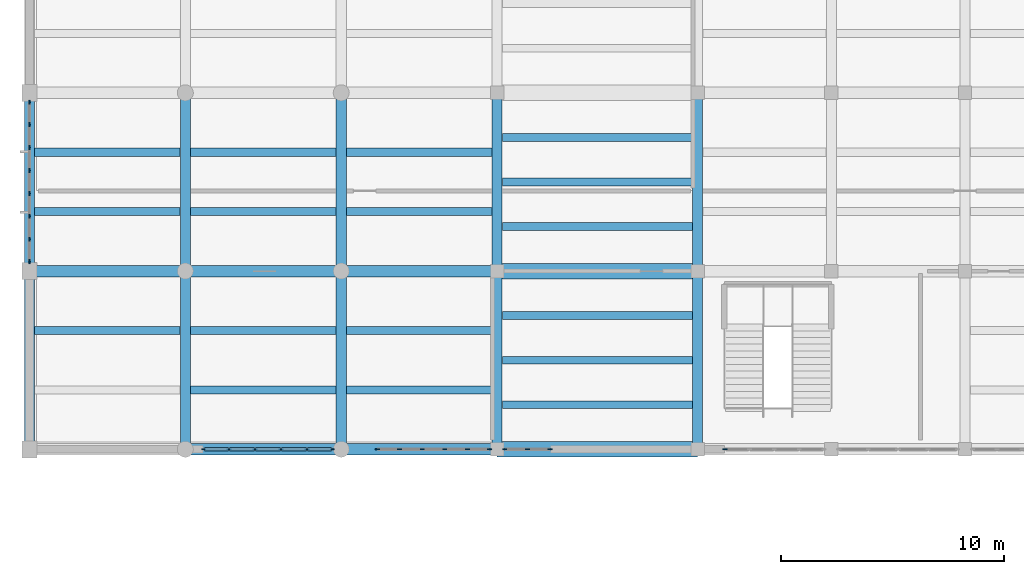
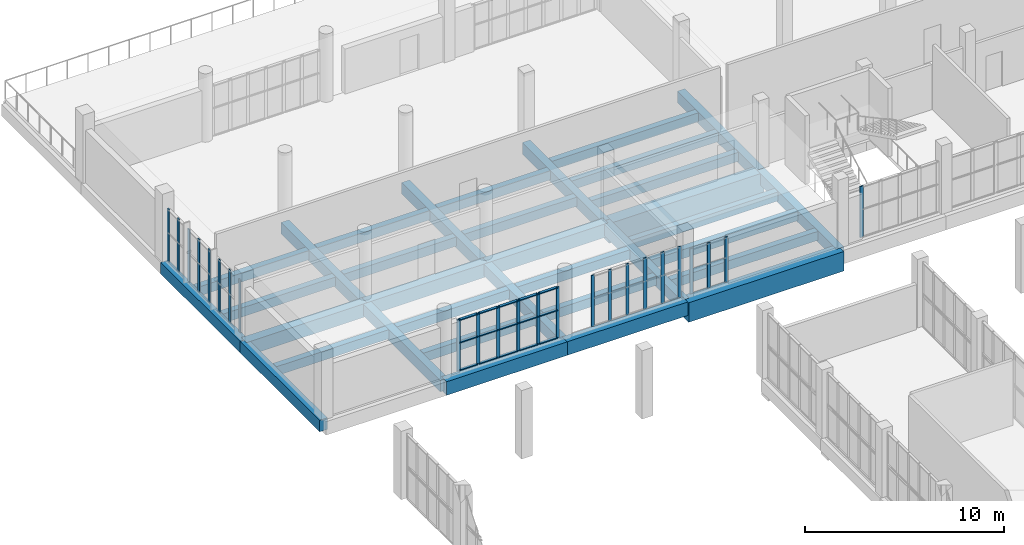
# One storey, part 20 of 85: 39 members, 34 beams, 5 elements without a shape of their own.
"""IFC4 building model written with IfcOpenShell, lengths in metres."""

import ifcopenshell
import ifcopenshell.guid

model = None  # the IFC model being written
_history = None  # IfcOwnerHistory: only IFC2X3 demands one
_inside = {}  # id of a spatial element -> (the spatial element, [elements in it])
_under = {}  # id of a project, library or spatial element -> (it, [spatial elements below it])
_declared = {}  # id of a project -> (the project, [libraries it declares])
_typed = {}  # id of a type object -> (the type object, [elements of that type])
_made_of = {}  # id of a material, layer set ... -> (it, [elements and type objects made of it])


def new_model(schema):
    """Start an empty IFC model of exactly this schema.

    Asked for "IFC4X3", IfcOpenShell would pick the latest addendum, in which some entities
    have other attributes; the version numbers below select the first issue.
    IFC2X3 requires an IfcOwnerHistory on every rooted entity: one is made here for all.
    """
    global model, _history
    if schema == "IFC4X3":
        model = ifcopenshell.file(schema_version=(4, 3, 0, 0))
    else:
        model = ifcopenshell.file(schema=schema)
    _inside.clear()
    _under.clear()
    _declared.clear()
    _typed.clear()
    _made_of.clear()
    _history = None
    if model.schema == "IFC2X3":
        org = make("IfcOrganization", Name="unknown")
        user = make(
            "IfcPersonAndOrganization",
            ThePerson=make("IfcPerson", FamilyName="unknown"),
            TheOrganization=org,
        )
        app = make(
            "IfcApplication",
            ApplicationDeveloper=org,
            Version="unknown",
            ApplicationFullName="unknown",
            ApplicationIdentifier="unknown",
        )
        _history = make(
            "IfcOwnerHistory",
            OwningUser=user,
            OwningApplication=app,
            ChangeAction="ADDED",
            CreationDate=0,
        )
    return model


def make(cls, **values):
    """One entity of the class cls with the attributes given. An attribute that is None is left unset."""
    return model.create_entity(
        cls, **{name: value for name, value in values.items() if value is not None}
    )


def rooted(cls, **values):
    """An entity with a GlobalId (a new one), such as an element, a storey or a relation."""
    return make(cls, GlobalId=ifcopenshell.guid.new(), OwnerHistory=_history, **values)


def si_unit(unit_type, name, prefix=None):
    """IfcSIUnit, for example si_unit("LENGTHUNIT", "METRE", prefix="MILLI")."""
    return make("IfcSIUnit", UnitType=unit_type, Prefix=prefix, Name=name)


def assignment(units):
    """IfcUnitAssignment: the units of a project."""
    return None if units is None else make("IfcUnitAssignment", Units=units)


def point(xyz):
    """IfcCartesianPoint."""
    return None if xyz is None else make("IfcCartesianPoint", Coordinates=xyz)


def direction(xyz):
    """IfcDirection."""
    return None if xyz is None else make("IfcDirection", DirectionRatios=xyz)


def frame(location, z_axis=None, x_axis=None):
    """IfcAxis2Placement3D, a coordinate frame: its origin and axes. An axis left out is left unset."""
    return make(
        "IfcAxis2Placement3D",
        Location=point(location),
        Axis=direction(z_axis),
        RefDirection=direction(x_axis),
    )


def frame_2d(location, x_axis=None):
    """IfcAxis2Placement2D, a coordinate frame in the plane: its origin and x axis."""
    return make(
        "IfcAxis2Placement2D", Location=point(location), RefDirection=direction(x_axis)
    )


def origin():
    """The frame at (0, 0, 0) with its axes left unset."""
    return frame((0.0, 0.0, 0.0))


def origin_2d():
    """The frame at (0, 0) in the plane with its x axis left unset."""
    return frame_2d((0.0, 0.0))


def place(relative_to, where):
    """IfcLocalPlacement: puts the frame where relative to a parent placement (None: the world)."""
    return make(
        "IfcLocalPlacement", PlacementRelTo=relative_to, RelativePlacement=where
    )


def context(
    kind, dimensions, precision=None, world=None, true_north=None, identifier=None
):
    """IfcGeometricRepresentationContext, for example the 3D "Model" context."""
    return make(
        "IfcGeometricRepresentationContext",
        ContextIdentifier=identifier,
        ContextType=kind,
        CoordinateSpaceDimension=dimensions,
        Precision=precision,
        WorldCoordinateSystem=world,
        TrueNorth=true_north,
    )


def subcontext(parent, identifier, kind, view, scale=None):
    """IfcGeometricRepresentationSubContext, for example "Body" below "Model"."""
    return make(
        "IfcGeometricRepresentationSubContext",
        ContextIdentifier=identifier,
        ContextType=kind,
        ParentContext=parent,
        TargetScale=scale,
        TargetView=view,
    )


def project(units=None, contexts=None):
    """IfcProject with its units and contexts."""
    return rooted(
        "IfcProject",
        Name="project",
        RepresentationContexts=contexts,
        UnitsInContext=assignment(units),
    )


def spatial(cls, under=None, at=None, **own):
    """A site, building, storey or space (cls), placed at a placement, below another one or the project."""
    s = rooted(cls, ObjectPlacement=at, **own)
    if under is not None:
        _under.setdefault(under.id(), (under, []))[1].append(s)
    return s


def profile(cls, at=None, kind="AREA", **sizes):
    """A parametric profile (cls). Its sizes go by their IFC names, for example OverallWidth=200.0."""
    return make(cls, ProfileType=kind, Position=at, **sizes)


def rectangle(**sizes):
    """IfcRectangleProfileDef."""
    return profile("IfcRectangleProfileDef", **sizes)


def extrude(swept, where, along, depth):
    """IfcExtrudedAreaSolid: the profile swept, set in the frame where, extruded along a direction by depth."""
    return make(
        "IfcExtrudedAreaSolid",
        SweptArea=swept,
        Position=where,
        ExtrudedDirection=direction(along),
        Depth=depth,
    )


def shape(context_of_items, identifier, shape_type, items):
    """IfcShapeRepresentation: the items that make up one representation, for example the "Body"."""
    return make(
        "IfcShapeRepresentation",
        ContextOfItems=context_of_items,
        RepresentationIdentifier=identifier,
        RepresentationType=shape_type,
        Items=items,
    )


def material(Name=None, Category=None):
    """IfcMaterial."""
    return make("IfcMaterial", Name=Name, Category=Category)


def layer(
    of_material, thickness, ventilated=None, Name=None, Category=None, Priority=None
):
    """IfcMaterialLayer: one layer of a wall or slab, of a material (None: an air gap)."""
    return make(
        "IfcMaterialLayer",
        Material=of_material,
        LayerThickness=thickness,
        IsVentilated=ventilated,
        Name=Name,
        Category=Category,
        Priority=Priority,
    )


def layer_set(layers, Name=None):
    """IfcMaterialLayerSet."""
    return make("IfcMaterialLayerSet", MaterialLayers=layers, LayerSetName=Name)


def material_profile(
    of_material, cross_section, Name=None, Category=None, Priority=None
):
    """IfcMaterialProfile: a cross section and its material."""
    return make(
        "IfcMaterialProfile",
        Name=Name,
        Material=of_material,
        Profile=cross_section,
        Priority=Priority,
        Category=Category,
    )


def profile_set(profiles, Name=None, composite=None):
    """IfcMaterialProfileSet."""
    return make(
        "IfcMaterialProfileSet",
        Name=Name,
        MaterialProfiles=profiles,
        CompositeProfile=composite,
    )


def made_of(thing, what):
    """Note that an element or type object is made of a material, layer set ...; save() writes the relation."""
    if what is not None:
        _made_of.setdefault(what.id(), (what, []))[1].append(thing)
    return thing


def type_object(cls, material=None, **own):
    """A type object (cls), such as IfcWallType, which elements share."""
    return made_of(rooted(cls, **own), material)


def element(
    cls,
    number,
    at=None,
    inside=None,
    cuts=None,
    type_object=None,
    material=None,
    context=None,
    identifier="Body",
    shape_type=None,
    held_by="IfcProductDefinitionShape",
    body=None,
    shapes=None,
    **own,
):
    """One element of the class cls, such as IfcWall. Its Tag is "e" and its number.

    at: its placement. inside: the storey or other place that contains it. cuts: it is an
    opening in that element (IfcRelVoidsElement). A single representation is given by context,
    identifier, shape_type and body (its items); several are given by shapes. held_by: the class
    of the entity that holds the representations. save() writes the other relations.
    """
    e = rooted(cls, Tag="e%d" % number, ObjectPlacement=at, **own)
    if body is not None:
        shapes = [shape(context, identifier, shape_type, body)]
    if shapes is not None:
        e.Representation = make(held_by, Representations=shapes)
    if inside is not None:
        _inside.setdefault(inside.id(), (inside, []))[1].append(e)
    if cuts is not None:
        rooted(
            "IfcRelVoidsElement", RelatingBuildingElement=cuts, RelatedOpeningElement=e
        )
    if type_object is not None:
        _typed.setdefault(type_object.id(), (type_object, []))[1].append(e)
    return made_of(e, material)


def aggregate(whole, parts):
    """IfcRelAggregates: a whole, such as a stair, and the parts it consists of."""
    return rooted("IfcRelAggregates", RelatingObject=whole, RelatedObjects=parts)


def save(model, path):
    """Write the relations noted so far, then the file.

    IfcRelAggregates (storeys below a building ...), IfcRelContainedInSpatialStructure (elements
    in a storey), IfcRelDefinesByType, IfcRelAssociatesMaterial and IfcRelDeclares: one each for
    every whole, place, type object, material and project.
    """
    for whole, parts in _under.values():
        aggregate(whole, parts)
    for where, things in _inside.values():
        rooted(
            "IfcRelContainedInSpatialStructure",
            RelatedElements=things,
            RelatingStructure=where,
        )
    for kind, things in _typed.values():
        rooted("IfcRelDefinesByType", RelatedObjects=things, RelatingType=kind)
    for what, things in _made_of.values():
        rooted("IfcRelAssociatesMaterial", RelatedObjects=things, RelatingMaterial=what)
    for by, libraries in _declared.values():
        rooted("IfcRelDeclares", RelatingContext=by, RelatedDefinitions=libraries)
    model.write(path)


model = new_model("IFC4")

# Units and contexts
model_context = context("Model", 3, precision=1e-05, world=origin(), true_north=direction((0.0, 1.0)))
body_context = subcontext(model_context, "Body", "Model", "MODEL_VIEW")
ifc_project = project(units=[si_unit("LENGTHUNIT", "METRE"), si_unit("AREAUNIT", "SQUARE_METRE"), si_unit("VOLUMEUNIT", "CUBIC_METRE"), si_unit("PLANEANGLEUNIT", "RADIAN"), si_unit("MASSUNIT", "GRAM", prefix="KILO")], contexts=[model_context])

# Site, building, storey
site_placement = place(None, origin())
site = spatial("IfcSite", under=ifc_project, at=site_placement, CompositionType="ELEMENT")
building_placement = place(site_placement, origin())
building = spatial("IfcBuilding", under=site, at=building_placement, Name="Solvane Community Centre", CompositionType="ELEMENT")
storey_placement = place(building_placement, frame((0.0, 0.0, 5.39990234375)))
storey = spatial("IfcBuildingStorey", under=building, at=storey_placement, Name="L01", CompositionType="ELEMENT", Elevation=5.39990234375)

# Curtain wall, members
ifc_material_1 = material(Name="Anodised bronze aluminium AW-6063 T6", Category="aluminium")
ifc_layer_1 = layer(ifc_material_1, 0.18994140625)
ifc_layer_set_1 = layer_set([ifc_layer_1], Name="Anodised bronze aluminium AW-6063 T6")
curtain_wall_type_1 = type_object("IfcCurtainWallType", Name="Boulevard Bronze Vision Curtain Wall [72x32dm]", PredefinedType="NOTDEFINED", material=ifc_layer_set_1)
curtain_wall_1_placement = place(storey_placement, origin())
curtain_wall_1 = element("IfcCurtainWall", 1, at=curtain_wall_1_placement, inside=storey, type_object=curtain_wall_type_1, Name="Curtain Wall CW-L01-60_944-085", PredefinedType="NOTDEFINED")
ifc_material_profile_1 = material_profile(ifc_material_1, rectangle(XDim=0.06005859375, YDim=0.18994140625, at=origin_2d()), Name="CW-M 60x190")
ifc_profile_set_1 = profile_set([ifc_material_profile_1], Name="Anodised bronze aluminium AW-6063 T6")
member_type_1 = type_object("IfcMemberType", Name="Boulevard Mullion 60x190", PredefinedType="MULLION", material=ifc_profile_set_1)
member_1_placement = place(storey_placement, frame((6.0, 94.425048828125, 0.0), z_axis=(0.0, 0.0, 1.0), x_axis=(-1.0, 0.0, 0.0)))
member_1 = element("IfcMember", 2, at=member_1_placement, type_object=member_type_1, Name="CW02-72x32 mullion 1", PredefinedType="MULLION", context=body_context, shape_type="SweptSolid", body=[
    extrude(rectangle(XDim=0.06005859375, YDim=0.18994140625, at=origin_2d()), origin(), (0.0, 0.0, 1.0), 3.22509765625),
])
member_2_placement = place(storey_placement, frame((6.0, 95.425048828125, 0.0), z_axis=(0.0, 0.0, 1.0), x_axis=(-1.0, 0.0, 0.0)))
member_2 = element("IfcMember", 3, at=member_2_placement, type_object=member_type_1, Name="CW02-72x32 mullion 2", PredefinedType="MULLION", context=body_context, shape_type="SweptSolid", body=[
    extrude(rectangle(XDim=0.06005859375, YDim=0.18994140625, at=origin_2d()), origin(), (0.0, 0.0, 1.0), 3.22509765625),
])
member_3_placement = place(storey_placement, frame((6.0, 96.455078125, 0.0), z_axis=(0.0, 0.0, 1.0), x_axis=(-1.0, 0.0, 0.0)))
member_3 = element("IfcMember", 4, at=member_3_placement, type_object=member_type_1, Name="CW02-72x32 mullion 3", PredefinedType="MULLION", context=body_context, shape_type="SweptSolid", body=[
    extrude(rectangle(XDim=0.06005859375, YDim=0.18994140625, at=origin_2d()), origin(), (0.0, 0.0, 1.0), 3.22509765625),
])
member_4_placement = place(storey_placement, frame((6.0, 97.485107421875, 0.0), z_axis=(0.0, 0.0, 1.0), x_axis=(-1.0, 0.0, 0.0)))
member_4 = element("IfcMember", 5, at=member_4_placement, type_object=member_type_1, Name="CW02-72x32 mullion 4", PredefinedType="MULLION", context=body_context, shape_type="SweptSolid", body=[
    extrude(rectangle(XDim=0.06005859375, YDim=0.18994140625, at=origin_2d()), origin(), (0.0, 0.0, 1.0), 3.22509765625),
])
member_5_placement = place(storey_placement, frame((6.0, 98.514892578125, 0.0), z_axis=(0.0, 0.0, 1.0), x_axis=(-1.0, 0.0, 0.0)))
member_5 = element("IfcMember", 6, at=member_5_placement, type_object=member_type_1, Name="CW02-72x32 mullion 5", PredefinedType="MULLION", context=body_context, shape_type="SweptSolid", body=[
    extrude(rectangle(XDim=0.06005859375, YDim=0.18994140625, at=origin_2d()), origin(), (0.0, 0.0, 1.0), 3.22509765625),
])
member_6_placement = place(storey_placement, frame((6.0, 99.544921875, 0.0), z_axis=(0.0, 0.0, 1.0), x_axis=(-1.0, 0.0, 0.0)))
member_6 = element("IfcMember", 7, at=member_6_placement, type_object=member_type_1, Name="CW02-72x32 mullion 6", PredefinedType="MULLION", context=body_context, shape_type="SweptSolid", body=[
    extrude(rectangle(XDim=0.06005859375, YDim=0.18994140625, at=origin_2d()), origin(), (0.0, 0.0, 1.0), 3.22509765625),
])
member_7_placement = place(storey_placement, frame((6.0, 100.574951171875, 0.0), z_axis=(0.0, 0.0, 1.0), x_axis=(-1.0, 0.0, 0.0)))
member_7 = element("IfcMember", 8, at=member_7_placement, type_object=member_type_1, Name="CW02-72x32 mullion 7", PredefinedType="MULLION", context=body_context, shape_type="SweptSolid", body=[
    extrude(rectangle(XDim=0.06005859375, YDim=0.18994140625, at=origin_2d()), origin(), (0.0, 0.0, 1.0), 3.22509765625),
])
member_8_placement = place(storey_placement, frame((6.0, 101.574951171875, 0.0), z_axis=(0.0, 0.0, 1.0), x_axis=(-1.0, 0.0, 0.0)))
member_8 = element("IfcMember", 9, at=member_8_placement, type_object=member_type_1, Name="CW02-72x32 mullion 8", PredefinedType="MULLION", context=body_context, shape_type="SweptSolid", body=[
    extrude(rectangle(XDim=0.06005859375, YDim=0.18994140625, at=origin_2d()), origin(), (0.0, 0.0, 1.0), 3.22509765625),
])
aggregate(curtain_wall_1, [member_1, member_2, member_3, member_4, member_5, member_6, member_7, member_8])

# Curtain wall, member
ifc_layer_2 = layer(ifc_material_1, 0.18994140625)
ifc_layer_set_2 = layer_set([ifc_layer_2], Name="Anodised bronze aluminium AW-6063 T6")
curtain_wall_type_2 = type_object("IfcCurtainWallType", Name="Boulevard Bronze Vision Curtain Wall [45x31dm]", PredefinedType="NOTDEFINED", material=ifc_layer_set_2)
curtain_wall_2_placement = place(storey_placement, origin())
curtain_wall_2 = element("IfcCurtainWall", 10, at=curtain_wall_2_placement, inside=storey, type_object=curtain_wall_type_2, Name="Curtain Wall CW-L01-417_860-099", PredefinedType="NOTDEFINED")
member_9_placement = place(storey_placement, frame((37.22998046875, 86.0, 0.0), z_axis=(0.0, 0.0, 1.0), x_axis=(0.0, -1.0, 0.0)))
member_9 = element("IfcMember", 11, at=member_9_placement, type_object=member_type_1, Name="CW02-45x31 mullion 5", PredefinedType="MULLION", context=body_context, shape_type="SweptSolid", body=[
    extrude(rectangle(XDim=0.06005859375, YDim=0.18994140625, at=origin_2d()), origin(), (0.0, 0.0, 1.0), 3.135009765625),
])
aggregate(curtain_wall_2, [member_9])

# Curtain wall, members
ifc_layer_3 = layer(ifc_material_1, 0.18994140625)
ifc_layer_set_3 = layer_set([ifc_layer_3], Name="Anodised bronze aluminium AW-6063 T6")
curtain_wall_type_3 = type_object("IfcCurtainWallType", Name="Boulevard Bronze Vision Curtain Wall [21x28dm]", PredefinedType="NOTDEFINED", material=ifc_layer_set_3)
curtain_wall_3_placement = place(storey_placement, origin())
curtain_wall_3 = element("IfcCurtainWall", 12, at=curtain_wall_3_placement, inside=storey, type_object=curtain_wall_type_3, Name="Curtain Wall CW-L01-294_860-100", PredefinedType="NOTDEFINED")
member_10_placement = place(storey_placement, frame((29.3701171875, 86.0, 0.0), z_axis=(0.0, 0.0, 1.0), x_axis=(0.0, -1.0, 0.0)))
member_10 = element("IfcMember", 13, at=member_10_placement, type_object=member_type_1, Name="CW02-21x28 mullion 1", PredefinedType="MULLION", context=body_context, shape_type="SweptSolid", body=[
    extrude(rectangle(XDim=0.06005859375, YDim=0.18994140625, at=origin_2d()), origin(), (0.0, 0.0, 1.0), 2.76513671875),
])
member_11_placement = place(storey_placement, frame((28.357421875, 86.0, 0.0), z_axis=(0.0, 0.0, 1.0), x_axis=(0.0, -1.0, 0.0)))
member_11 = element("IfcMember", 14, at=member_11_placement, type_object=member_type_1, Name="CW02-21x28 mullion 2", PredefinedType="MULLION", context=body_context, shape_type="SweptSolid", body=[
    extrude(rectangle(XDim=0.06005859375, YDim=0.18994140625, at=origin_2d()), origin(), (0.0, 0.0, 1.0), 2.76513671875),
])
member_12_placement = place(storey_placement, frame((27.344970703125, 86.0, 0.0), z_axis=(0.0, 0.0, 1.0), x_axis=(0.0, -1.0, 0.0)))
member_12 = element("IfcMember", 15, at=member_12_placement, type_object=member_type_1, Name="CW02-21x28 mullion 3", PredefinedType="MULLION", context=body_context, shape_type="SweptSolid", body=[
    extrude(rectangle(XDim=0.06005859375, YDim=0.18994140625, at=origin_2d()), origin(), (0.0, 0.0, 1.0), 2.76513671875),
])
aggregate(curtain_wall_3, [member_10, member_11, member_12])

ifc_layer_4 = layer(ifc_material_1, 0.18994140625)
ifc_layer_set_4 = layer_set([ifc_layer_4], Name="Anodised bronze aluminium AW-6063 T6")
curtain_wall_type_4 = type_object("IfcCurtainWallType", Name="Boulevard Bronze Vision Curtain Wall [51x31dm]", PredefinedType="NOTDEFINED", material=ifc_layer_set_4)
curtain_wall_4_placement = place(storey_placement, origin())
curtain_wall_4 = element("IfcCurtainWall", 16, at=curtain_wall_4_placement, inside=storey, type_object=curtain_wall_type_4, Name="Curtain Wall CW-L01-267_860-101", PredefinedType="NOTDEFINED")
member_13_placement = place(storey_placement, frame((26.655029296875, 86.0, 0.0), z_axis=(0.0, 0.0, 1.0), x_axis=(0.0, -1.0, 0.0)))
member_13 = element("IfcMember", 17, at=member_13_placement, type_object=member_type_1, Name="CW02-51x31 mullion 1", PredefinedType="MULLION", context=body_context, shape_type="SweptSolid", body=[
    extrude(rectangle(XDim=0.06005859375, YDim=0.18994140625, at=origin_2d()), origin(), (0.0, 0.0, 1.0), 3.135009765625),
])
member_14_placement = place(storey_placement, frame((25.66796875, 86.0, 0.0), z_axis=(0.0, 0.0, 1.0), x_axis=(0.0, -1.0, 0.0)))
member_14 = element("IfcMember", 18, at=member_14_placement, type_object=member_type_1, Name="CW02-51x31 mullion 2", PredefinedType="MULLION", context=body_context, shape_type="SweptSolid", body=[
    extrude(rectangle(XDim=0.06005859375, YDim=0.18994140625, at=origin_2d()), origin(), (0.0, 0.0, 1.0), 3.135009765625),
])
member_15_placement = place(storey_placement, frame((24.65087890625, 86.0, 0.0), z_axis=(0.0, 0.0, 1.0), x_axis=(0.0, -1.0, 0.0)))
member_15 = element("IfcMember", 19, at=member_15_placement, type_object=member_type_1, Name="CW02-51x31 mullion 3", PredefinedType="MULLION", context=body_context, shape_type="SweptSolid", body=[
    extrude(rectangle(XDim=0.06005859375, YDim=0.18994140625, at=origin_2d()), origin(), (0.0, 0.0, 1.0), 3.135009765625),
])
member_16_placement = place(storey_placement, frame((23.634033203125, 86.0, 0.0), z_axis=(0.0, 0.0, 1.0), x_axis=(0.0, -1.0, 0.0)))
member_16 = element("IfcMember", 20, at=member_16_placement, type_object=member_type_1, Name="CW02-51x31 mullion 4", PredefinedType="MULLION", context=body_context, shape_type="SweptSolid", body=[
    extrude(rectangle(XDim=0.06005859375, YDim=0.18994140625, at=origin_2d()), origin(), (0.0, 0.0, 1.0), 3.135009765625),
])
member_17_placement = place(storey_placement, frame((22.616943359375, 86.0, 0.0), z_axis=(0.0, 0.0, 1.0), x_axis=(0.0, -1.0, 0.0)))
member_17 = element("IfcMember", 21, at=member_17_placement, type_object=member_type_1, Name="CW02-51x31 mullion 5", PredefinedType="MULLION", context=body_context, shape_type="SweptSolid", body=[
    extrude(rectangle(XDim=0.06005859375, YDim=0.18994140625, at=origin_2d()), origin(), (0.0, 0.0, 1.0), 3.135009765625),
])
member_18_placement = place(storey_placement, frame((21.6298828125, 86.0, 0.0), z_axis=(0.0, 0.0, 1.0), x_axis=(0.0, -1.0, 0.0)))
member_18 = element("IfcMember", 22, at=member_18_placement, type_object=member_type_1, Name="CW02-51x31 mullion 6", PredefinedType="MULLION", context=body_context, shape_type="SweptSolid", body=[
    extrude(rectangle(XDim=0.06005859375, YDim=0.18994140625, at=origin_2d()), origin(), (0.0, 0.0, 1.0), 3.135009765625),
])
aggregate(curtain_wall_4, [member_13, member_14, member_15, member_16, member_17, member_18])

ifc_layer_5 = layer(ifc_material_1, 0.18994140625)
ifc_layer_set_5 = layer_set([ifc_layer_5], Name="Anodised bronze aluminium AW-6063 T6")
curtain_wall_type_5 = type_object("IfcCurtainWallType", Name="Boulevard Bronze Vision Curtain Wall [58x31dm]", PredefinedType="NOTDEFINED", material=ifc_layer_set_5)
curtain_wall_5_placement = place(storey_placement, origin())
curtain_wall_5 = element("IfcCurtainWall", 23, at=curtain_wall_5_placement, inside=storey, type_object=curtain_wall_type_5, Name="Curtain Wall CW-L01-196_860-102", PredefinedType="NOTDEFINED")
member_19_placement = place(storey_placement, frame((19.594970703125, 86.0, 0.0), z_axis=(0.0, 0.0, 1.0), x_axis=(0.0, -1.0, 0.0)))
member_19 = element("IfcMember", 24, at=member_19_placement, type_object=member_type_1, Name="CW02-58x31 mullion 1", PredefinedType="MULLION", context=body_context, shape_type="SweptSolid", body=[
    extrude(rectangle(XDim=0.06005859375, YDim=0.18994140625, at=origin_2d()), origin(), (0.0, 0.0, 1.0), 3.135009765625),
])
member_20_placement = place(storey_placement, frame((18.4599609375, 86.0, 0.0), z_axis=(0.0, 0.0, 1.0), x_axis=(0.0, -1.0, 0.0)))
member_20 = element("IfcMember", 25, at=member_20_placement, type_object=member_type_1, Name="CW02-58x31 mullion 2", PredefinedType="MULLION", context=body_context, shape_type="SweptSolid", body=[
    extrude(rectangle(XDim=0.06005859375, YDim=0.18994140625, at=origin_2d()), origin(), (0.0, 0.0, 1.0), 3.135009765625),
])
member_21_placement = place(storey_placement, frame((17.294921875, 86.0, 0.0), z_axis=(0.0, 0.0, 1.0), x_axis=(0.0, -1.0, 0.0)))
member_21 = element("IfcMember", 26, at=member_21_placement, type_object=member_type_1, Name="CW02-58x31 mullion 3", PredefinedType="MULLION", context=body_context, shape_type="SweptSolid", body=[
    extrude(rectangle(XDim=0.06005859375, YDim=0.18994140625, at=origin_2d()), origin(), (0.0, 0.0, 1.0), 3.135009765625),
])
member_22_placement = place(storey_placement, frame((16.1298828125, 86.0, 0.0), z_axis=(0.0, 0.0, 1.0), x_axis=(0.0, -1.0, 0.0)))
member_22 = element("IfcMember", 27, at=member_22_placement, type_object=member_type_1, Name="CW02-58x31 mullion 4", PredefinedType="MULLION", context=body_context, shape_type="SweptSolid", body=[
    extrude(rectangle(XDim=0.06005859375, YDim=0.18994140625, at=origin_2d()), origin(), (0.0, 0.0, 1.0), 3.135009765625),
])
member_23_placement = place(storey_placement, frame((14.965087890625, 86.0, 0.0), z_axis=(0.0, 0.0, 1.0), x_axis=(0.0, -1.0, 0.0)))
member_23 = element("IfcMember", 28, at=member_23_placement, type_object=member_type_1, Name="CW02-58x31 mullion 5", PredefinedType="MULLION", context=body_context, shape_type="SweptSolid", body=[
    extrude(rectangle(XDim=0.06005859375, YDim=0.18994140625, at=origin_2d()), origin(), (0.0, 0.0, 1.0), 3.135009765625),
])
member_24_placement = place(storey_placement, frame((13.830078125, 86.0, 0.0), z_axis=(0.0, 0.0, 1.0), x_axis=(0.0, -1.0, 0.0)))
member_24 = element("IfcMember", 29, at=member_24_placement, type_object=member_type_1, Name="CW02-58x31 mullion 6", PredefinedType="MULLION", context=body_context, shape_type="SweptSolid", body=[
    extrude(rectangle(XDim=0.06005859375, YDim=0.18994140625, at=origin_2d()), origin(), (0.0, 0.0, 1.0), 3.135009765625),
])
ifc_material_profile_2 = material_profile(ifc_material_1, rectangle(XDim=0.14990234375, YDim=0.06005859375, at=origin_2d()), Name="CW-T 60x150")
ifc_profile_set_2 = profile_set([ifc_material_profile_2], Name="Anodised bronze aluminium AW-6063 T6")
member_type_2 = type_object("IfcMemberType", Name="Boulevard Transom 60x150", PredefinedType="USERDEFINED", material=ifc_profile_set_2)
member_25_placement = place(storey_placement, frame((19.56494140625, 86.0, 0.030029296875), z_axis=(-1.0, 0.0, 0.0), x_axis=(0.0, -1.0, 0.0)))
member_25 = element("IfcMember", 30, at=member_25_placement, type_object=member_type_2, Name="CW02-58x31 transom 1.1", ObjectType="TRANSOM", PredefinedType="USERDEFINED", context=body_context, shape_type="SweptSolid", body=[
    extrude(rectangle(XDim=0.14990234375, YDim=0.06005859375, at=origin_2d()), origin(), (0.0, 0.0, 1.0), 1.074951171875),
])
member_26_placement = place(storey_placement, frame((19.56494140625, 86.0, 1.72412109375), z_axis=(-1.0, 0.0, 0.0), x_axis=(0.0, -1.0, 0.0)))
member_26 = element("IfcMember", 31, at=member_26_placement, type_object=member_type_2, Name="CW02-58x31 transom 1.2", ObjectType="TRANSOM", PredefinedType="USERDEFINED", context=body_context, shape_type="SweptSolid", body=[
    extrude(rectangle(XDim=0.14990234375, YDim=0.06005859375, at=origin_2d()), origin(), (0.0, 0.0, 1.0), 1.074951171875),
])
member_27_placement = place(storey_placement, frame((19.56494140625, 86.0, 3.10498046875), z_axis=(-1.0, 0.0, 0.0), x_axis=(0.0, -1.0, 0.0)))
member_27 = element("IfcMember", 32, at=member_27_placement, type_object=member_type_2, Name="CW02-58x31 transom 1.3", ObjectType="TRANSOM", PredefinedType="USERDEFINED", context=body_context, shape_type="SweptSolid", body=[
    extrude(rectangle(XDim=0.14990234375, YDim=0.06005859375, at=origin_2d()), origin(), (0.0, 0.0, 1.0), 1.074951171875),
])
member_28_placement = place(storey_placement, frame((18.429931640625, 86.0, 0.030029296875), z_axis=(-1.0, 0.0, 0.0), x_axis=(0.0, -1.0, 0.0)))
member_28 = element("IfcMember", 33, at=member_28_placement, type_object=member_type_2, Name="CW02-58x31 transom 2.1", ObjectType="TRANSOM", PredefinedType="USERDEFINED", context=body_context, shape_type="SweptSolid", body=[
    extrude(rectangle(XDim=0.14990234375, YDim=0.06005859375, at=origin_2d()), origin(), (0.0, 0.0, 1.0), 1.10498046875),
])
member_29_placement = place(storey_placement, frame((18.429931640625, 86.0, 1.72412109375), z_axis=(-1.0, 0.0, 0.0), x_axis=(0.0, -1.0, 0.0)))
member_29 = element("IfcMember", 34, at=member_29_placement, type_object=member_type_2, Name="CW02-58x31 transom 2.2", ObjectType="TRANSOM", PredefinedType="USERDEFINED", context=body_context, shape_type="SweptSolid", body=[
    extrude(rectangle(XDim=0.14990234375, YDim=0.06005859375, at=origin_2d()), origin(), (0.0, 0.0, 1.0), 1.10498046875),
])
member_30_placement = place(storey_placement, frame((18.429931640625, 86.0, 3.10498046875), z_axis=(-1.0, 0.0, 0.0), x_axis=(0.0, -1.0, 0.0)))
member_30 = element("IfcMember", 35, at=member_30_placement, type_object=member_type_2, Name="CW02-58x31 transom 2.3", ObjectType="TRANSOM", PredefinedType="USERDEFINED", context=body_context, shape_type="SweptSolid", body=[
    extrude(rectangle(XDim=0.14990234375, YDim=0.06005859375, at=origin_2d()), origin(), (0.0, 0.0, 1.0), 1.10498046875),
])
member_31_placement = place(storey_placement, frame((17.264892578125, 86.0, 0.030029296875), z_axis=(-1.0, 0.0, 0.0), x_axis=(0.0, -1.0, 0.0)))
member_31 = element("IfcMember", 36, at=member_31_placement, type_object=member_type_2, Name="CW02-58x31 transom 3.1", ObjectType="TRANSOM", PredefinedType="USERDEFINED", context=body_context, shape_type="SweptSolid", body=[
    extrude(rectangle(XDim=0.14990234375, YDim=0.06005859375, at=origin_2d()), origin(), (0.0, 0.0, 1.0), 1.10498046875),
])
member_32_placement = place(storey_placement, frame((17.264892578125, 86.0, 1.72412109375), z_axis=(-1.0, 0.0, 0.0), x_axis=(0.0, -1.0, 0.0)))
member_32 = element("IfcMember", 37, at=member_32_placement, type_object=member_type_2, Name="CW02-58x31 transom 3.2", ObjectType="TRANSOM", PredefinedType="USERDEFINED", context=body_context, shape_type="SweptSolid", body=[
    extrude(rectangle(XDim=0.14990234375, YDim=0.06005859375, at=origin_2d()), origin(), (0.0, 0.0, 1.0), 1.10498046875),
])
member_33_placement = place(storey_placement, frame((17.264892578125, 86.0, 3.10498046875), z_axis=(-1.0, 0.0, 0.0), x_axis=(0.0, -1.0, 0.0)))
member_33 = element("IfcMember", 38, at=member_33_placement, type_object=member_type_2, Name="CW02-58x31 transom 3.3", ObjectType="TRANSOM", PredefinedType="USERDEFINED", context=body_context, shape_type="SweptSolid", body=[
    extrude(rectangle(XDim=0.14990234375, YDim=0.06005859375, at=origin_2d()), origin(), (0.0, 0.0, 1.0), 1.10498046875),
])
member_34_placement = place(storey_placement, frame((16.10009765625, 86.0, 0.030029296875), z_axis=(-1.0, 0.0, 0.0), x_axis=(0.0, -1.0, 0.0)))
member_34 = element("IfcMember", 39, at=member_34_placement, type_object=member_type_2, Name="CW02-58x31 transom 4.1", ObjectType="TRANSOM", PredefinedType="USERDEFINED", context=body_context, shape_type="SweptSolid", body=[
    extrude(rectangle(XDim=0.14990234375, YDim=0.06005859375, at=origin_2d()), origin(), (0.0, 0.0, 1.0), 1.10498046875),
])
member_35_placement = place(storey_placement, frame((16.10009765625, 86.0, 1.72412109375), z_axis=(-1.0, 0.0, 0.0), x_axis=(0.0, -1.0, 0.0)))
member_35 = element("IfcMember", 40, at=member_35_placement, type_object=member_type_2, Name="CW02-58x31 transom 4.2", ObjectType="TRANSOM", PredefinedType="USERDEFINED", context=body_context, shape_type="SweptSolid", body=[
    extrude(rectangle(XDim=0.14990234375, YDim=0.06005859375, at=origin_2d()), origin(), (0.0, 0.0, 1.0), 1.10498046875),
])
member_36_placement = place(storey_placement, frame((16.10009765625, 86.0, 3.10498046875), z_axis=(-1.0, 0.0, 0.0), x_axis=(0.0, -1.0, 0.0)))
member_36 = element("IfcMember", 41, at=member_36_placement, type_object=member_type_2, Name="CW02-58x31 transom 4.3", ObjectType="TRANSOM", PredefinedType="USERDEFINED", context=body_context, shape_type="SweptSolid", body=[
    extrude(rectangle(XDim=0.14990234375, YDim=0.06005859375, at=origin_2d()), origin(), (0.0, 0.0, 1.0), 1.10498046875),
])
member_37_placement = place(storey_placement, frame((14.93505859375, 86.0, 0.030029296875), z_axis=(-1.0, 0.0, 0.0), x_axis=(0.0, -1.0, 0.0)))
member_37 = element("IfcMember", 42, at=member_37_placement, type_object=member_type_2, Name="CW02-58x31 transom 5.1", ObjectType="TRANSOM", PredefinedType="USERDEFINED", context=body_context, shape_type="SweptSolid", body=[
    extrude(rectangle(XDim=0.14990234375, YDim=0.06005859375, at=origin_2d()), origin(), (0.0, 0.0, 1.0), 1.074951171875),
])
member_38_placement = place(storey_placement, frame((14.93505859375, 86.0, 1.72412109375), z_axis=(-1.0, 0.0, 0.0), x_axis=(0.0, -1.0, 0.0)))
member_38 = element("IfcMember", 43, at=member_38_placement, type_object=member_type_2, Name="CW02-58x31 transom 5.2", ObjectType="TRANSOM", PredefinedType="USERDEFINED", context=body_context, shape_type="SweptSolid", body=[
    extrude(rectangle(XDim=0.14990234375, YDim=0.06005859375, at=origin_2d()), origin(), (0.0, 0.0, 1.0), 1.074951171875),
])
member_39_placement = place(storey_placement, frame((14.93505859375, 86.0, 3.10498046875), z_axis=(-1.0, 0.0, 0.0), x_axis=(0.0, -1.0, 0.0)))
member_39 = element("IfcMember", 44, at=member_39_placement, type_object=member_type_2, Name="CW02-58x31 transom 5.3", ObjectType="TRANSOM", PredefinedType="USERDEFINED", context=body_context, shape_type="SweptSolid", body=[
    extrude(rectangle(XDim=0.14990234375, YDim=0.06005859375, at=origin_2d()), origin(), (0.0, 0.0, 1.0), 1.074951171875),
])
aggregate(curtain_wall_5, [member_19, member_20, member_21, member_22, member_23, member_24, member_25, member_26, member_27, member_28, member_29, member_30, member_31, member_32, member_33, member_34, member_35, member_36, member_37, member_38, member_39])

# Beams
ifc_material_2 = material(Name="Concrete C35/45", Category="concrete")
ifc_material_profile_3 = material_profile(ifc_material_2, rectangle(XDim=0.449951171875, YDim=0.699951171875, at=origin_2d()), Name="RC 450x700")
ifc_profile_set_3 = profile_set([ifc_material_profile_3], Name="Concrete C35/45")
beam_type_1 = type_object("IfcBeamType", Name="RC Floor Beam 450x700", PredefinedType="BEAM", material=ifc_profile_set_3)
for number, where, z_axis, x_axis, name in (
    (45, (6.0, 86.0, -0.58984375), (0.0, 1.0, 0.0), (-1.0, 0.0, 0.0), "Beam BM-L01-60_860-60_940"),
    (46, (6.0, 94.0, -0.58984375), (0.0, 1.0, 0.0), (-1.0, 0.0, 0.0), "Beam BM-L01-60_940-60_1020"),
    (47, (13.0, 86.0, -0.58984375), (0.0, 1.0, 0.0), (-1.0, 0.0, 0.0), "Beam BM-L01-130_860-130_940"),
    (48, (13.0, 94.0, -0.58984375), (0.0, 1.0, 0.0), (-1.0, 0.0, 0.0), "Beam BM-L01-130_940-130_1020"),
    (49, (20.0, 86.0, -0.58984375), (0.0, 1.0, 0.0), (-1.0, 0.0, 0.0), "Beam BM-L01-200_860-200_940"),
    (50, (20.0, 94.0, -0.58984375), (0.0, 1.0, 0.0), (-1.0, 0.0, 0.0), "Beam BM-L01-200_940-200_1020"),
    (51, (27.0, 86.0, -0.58984375), (0.0, 1.0, 0.0), (-1.0, 0.0, 0.0), "Beam BM-L01-270_860-270_940"),
    (52, (27.0, 94.0, -0.58984375), (0.0, 1.0, 0.0), (-1.0, 0.0, 0.0), "Beam BM-L01-270_940-270_1020"),
    (53, (36.0, 86.0, -0.58984375), (0.0, 1.0, 0.0), (-1.0, 0.0, 0.0), "Beam BM-L01-360_860-360_940"),
    (54, (36.0, 94.0, -0.58984375), (0.0, 1.0, 0.0), (-1.0, 0.0, 0.0), "Beam BM-L01-360_940-360_1020"),
):
    element("IfcBeam", number, at=place(storey_placement, frame(where, z_axis=z_axis, x_axis=x_axis)), inside=storey, type_object=beam_type_1, Name=name, PredefinedType="BEAM", context=body_context, shape_type="SweptSolid", body=[
        extrude(rectangle(XDim=0.449951171875, YDim=0.699951171875, at=origin_2d()), origin(), (0.0, 0.0, 1.0), 8.0),
    ])
ifc_material_profile_4 = material_profile(ifc_material_2, rectangle(XDim=0.52001953125, YDim=0.830078125, at=origin_2d()), Name="RC 520x830")
ifc_profile_set_4 = profile_set([ifc_material_profile_4], Name="Concrete C35/45")
beam_type_2 = type_object("IfcBeamType", Name="RC Medium Girder 520x830", PredefinedType="USERDEFINED", material=ifc_profile_set_4)
for number, where, z_axis, x_axis, name in (
    (55, (13.0, 86.0, -0.65478515625), (1.0, 0.0, 0.0), (0.0, 1.0, 0.0), "Beam BM-L01-130_860-200_860"),
    (56, (20.0, 86.0, -0.65478515625), (1.0, 0.0, 0.0), (0.0, 1.0, 0.0), "Beam BM-L01-200_860-270_860"),
    (57, (6.0, 94.0, -0.65478515625), (1.0, 0.0, 0.0), (0.0, 1.0, 0.0), "Beam BM-L01-60_940-130_940"),
    (58, (13.0, 94.0, -0.65478515625), (1.0, 0.0, 0.0), (0.0, 1.0, 0.0), "Beam BM-L01-130_940-200_940"),
    (59, (20.0, 94.0, -0.65478515625), (1.0, 0.0, 0.0), (0.0, 1.0, 0.0), "Beam BM-L01-200_940-270_940"),
):
    element("IfcBeam", number, at=place(storey_placement, frame(where, z_axis=z_axis, x_axis=x_axis)), inside=storey, type_object=beam_type_2, Name=name, ObjectType="GIRDER", PredefinedType="USERDEFINED", context=body_context, shape_type="SweptSolid", body=[
        extrude(rectangle(XDim=0.52001953125, YDim=0.830078125, at=origin_2d()), origin(), (0.0, 0.0, 1.0), 7.0),
    ])
ifc_material_profile_5 = material_profile(ifc_material_2, rectangle(XDim=0.35009765625, YDim=0.550048828125, at=origin_2d()), Name="RC 350x550")
ifc_profile_set_5 = profile_set([ifc_material_profile_5], Name="Concrete C35/45")
beam_type_3 = type_object("IfcBeamType", Name="RC Secondary Joist 350x550", PredefinedType="JOIST", material=ifc_profile_set_5)
for number, where, z_axis, x_axis, name in (
    (60, (27.239990234375, 88.0, -0.514892578125), (1.0, 0.0, 0.0), (0.0, 1.0, 0.0), "Beam BM-L01-272_880-358_880"),
    (61, (27.239990234375, 90.0, -0.514892578125), (1.0, 0.0, 0.0), (0.0, 1.0, 0.0), "Beam BM-L01-272_900-358_900"),
    (62, (27.239990234375, 92.0, -0.514892578125), (1.0, 0.0, 0.0), (0.0, 1.0, 0.0), "Beam BM-L01-272_920-358_920"),
    (63, (27.239990234375, 96.0, -0.514892578125), (1.0, 0.0, 0.0), (0.0, 1.0, 0.0), "Beam BM-L01-272_960-358_960"),
    (64, (27.239990234375, 98.0, -0.514892578125), (1.0, 0.0, 0.0), (0.0, 1.0, 0.0), "Beam BM-L01-272_980-358_980"),
    (65, (27.239990234375, 100.0, -0.514892578125), (1.0, 0.0, 0.0), (0.0, 1.0, 0.0), "Beam BM-L01-272_1000-358_1000"),
):
    element("IfcBeam", number, at=place(storey_placement, frame(where, z_axis=z_axis, x_axis=x_axis)), inside=storey, type_object=beam_type_3, Name=name, PredefinedType="JOIST", context=body_context, shape_type="SweptSolid", body=[
        extrude(rectangle(XDim=0.35009765625, YDim=0.550048828125, at=origin_2d()), origin(), (0.0, 0.0, 1.0), 8.52001953125),
    ])
ifc_material_profile_6 = material_profile(ifc_material_2, rectangle(XDim=0.360107421875, YDim=0.56005859375, at=origin_2d()), Name="RC 360x560")
ifc_profile_set_6 = profile_set([ifc_material_profile_6], Name="Concrete C35/45")
beam_type_4 = type_object("IfcBeamType", Name="RC Terrace Joist 360x560", PredefinedType="JOIST", material=ifc_profile_set_6)
for number, where, z_axis, x_axis, name in (
    (66, (6.239990234375, 91.333251953125, -0.52001953125), (1.0, 0.0, 0.0), (0.0, 1.0, 0.0), "Beam BM-L01-62_913-128_913"),
    (67, (6.239990234375, 96.666748046875, -0.52001953125), (1.0, 0.0, 0.0), (0.0, 1.0, 0.0), "Beam BM-L01-62_967-128_967"),
    (68, (6.239990234375, 99.333251953125, -0.52001953125), (1.0, 0.0, 0.0), (0.0, 1.0, 0.0), "Beam BM-L01-62_993-128_993"),
    (69, (13.239990234375, 88.666748046875, -0.52001953125), (1.0, 0.0, 0.0), (0.0, 1.0, 0.0), "Beam BM-L01-132_887-198_887"),
    (70, (13.239990234375, 91.333251953125, -0.52001953125), (1.0, 0.0, 0.0), (0.0, 1.0, 0.0), "Beam BM-L01-132_913-198_913"),
    (71, (13.239990234375, 96.666748046875, -0.52001953125), (1.0, 0.0, 0.0), (0.0, 1.0, 0.0), "Beam BM-L01-132_967-198_967"),
    (72, (13.239990234375, 99.333251953125, -0.52001953125), (1.0, 0.0, 0.0), (0.0, 1.0, 0.0), "Beam BM-L01-132_993-198_993"),
    (73, (20.239990234375, 88.666748046875, -0.52001953125), (1.0, 0.0, 0.0), (0.0, 1.0, 0.0), "Beam BM-L01-202_887-268_887"),
    (74, (20.239990234375, 91.333251953125, -0.52001953125), (1.0, 0.0, 0.0), (0.0, 1.0, 0.0), "Beam BM-L01-202_913-268_913"),
    (75, (20.239990234375, 96.666748046875, -0.52001953125), (1.0, 0.0, 0.0), (0.0, 1.0, 0.0), "Beam BM-L01-202_967-268_967"),
    (76, (20.239990234375, 99.333251953125, -0.52001953125), (1.0, 0.0, 0.0), (0.0, 1.0, 0.0), "Beam BM-L01-202_993-268_993"),
):
    element("IfcBeam", number, at=place(storey_placement, frame(where, z_axis=z_axis, x_axis=x_axis)), inside=storey, type_object=beam_type_4, Name=name, PredefinedType="JOIST", context=body_context, shape_type="SweptSolid", body=[
        extrude(rectangle(XDim=0.360107421875, YDim=0.56005859375, at=origin_2d()), origin(), (0.0, 0.0, 1.0), 6.52001953125),
    ])
ifc_material_profile_7 = material_profile(ifc_material_2, rectangle(XDim=0.699951171875, YDim=1.199951171875, at=origin_2d()), Name="RC 700x1200")
ifc_profile_set_7 = profile_set([ifc_material_profile_7], Name="Concrete C35/45")
beam_type_5 = type_object("IfcBeamType", Name="RC Transfer Girder 700x1200", PredefinedType="USERDEFINED", material=ifc_profile_set_7)
for number, where, z_axis, x_axis, name in (
    (77, (27.0, 86.0, -0.83984375), (1.0, 0.0, 0.0), (0.0, 1.0, 0.0), "Beam BM-L01-270_860-360_860"),
    (78, (27.0, 94.0, -0.83984375), (1.0, 0.0, 0.0), (0.0, 1.0, 0.0), "Beam BM-L01-270_940-360_940"),
):
    element("IfcBeam", number, at=place(storey_placement, frame(where, z_axis=z_axis, x_axis=x_axis)), inside=storey, type_object=beam_type_5, Name=name, ObjectType="GIRDER", PredefinedType="USERDEFINED", context=body_context, shape_type="SweptSolid", body=[
        extrude(rectangle(XDim=0.699951171875, YDim=1.199951171875, at=origin_2d()), origin(), (0.0, 0.0, 1.0), 9.0),
    ])

save(model, "model.ifc")
